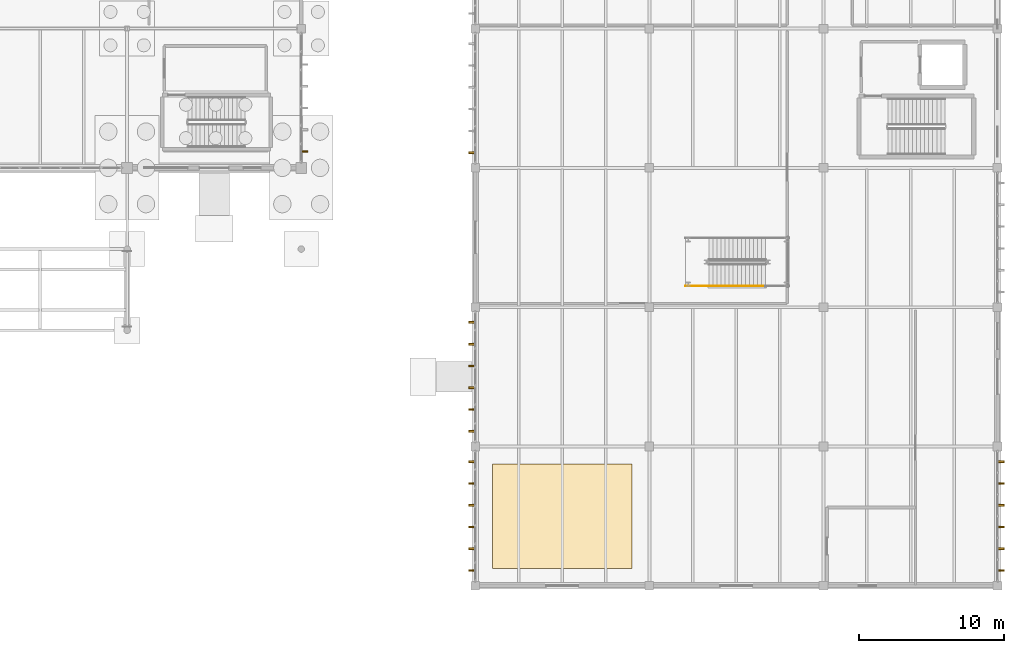
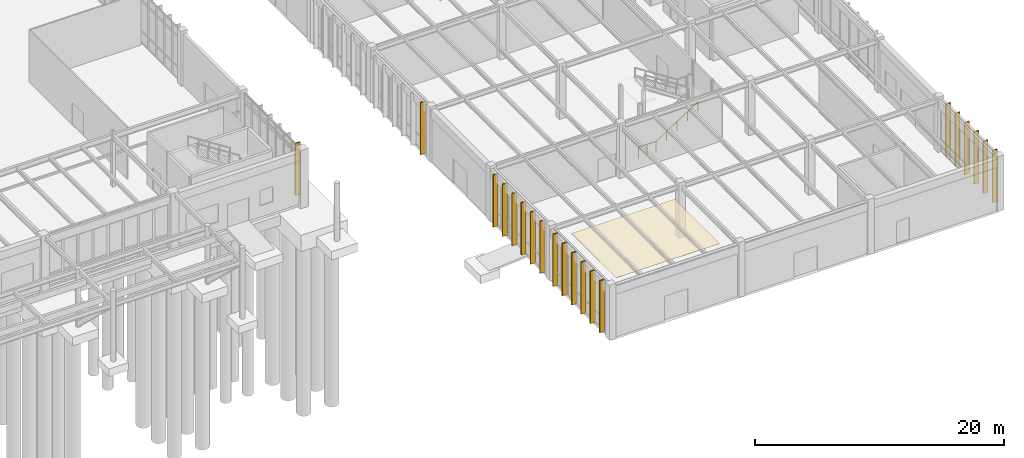
# One storey, part 181 of 188: 20 shading devices, 2 railings, 1 covering.
"""IFC4 building model written with IfcOpenShell, lengths in metres."""

from ifc_helpers import new_model, si_unit, direction, frame, origin, origin_2d, place, context, subcontext, project, spatial, polyline, rectangle, circle, outline, extrude, material, layer, layer_set, type_object, element, save


model = new_model("IFC4")

# Units and contexts
model_context = context("Model", 3, precision=1e-05, world=origin(), true_north=direction((0.0, 1.0)))
body_context = subcontext(model_context, "Body", "Model", "MODEL_VIEW")
ifc_project = project(units=[si_unit("LENGTHUNIT", "METRE"), si_unit("AREAUNIT", "SQUARE_METRE"), si_unit("VOLUMEUNIT", "CUBIC_METRE"), si_unit("PLANEANGLEUNIT", "RADIAN"), si_unit("MASSUNIT", "GRAM", prefix="KILO")], contexts=[model_context])

# Site, building, storey
site_placement = place(None, origin())
site = spatial("IfcSite", under=ifc_project, at=site_placement, CompositionType="ELEMENT")
building_placement = place(site_placement, origin())
building = spatial("IfcBuilding", under=site, at=building_placement, Name="Pandanus Reach Market Hall", CompositionType="ELEMENT")
storey_placement = place(building_placement, origin())
storey = spatial("IfcBuildingStorey", under=building, at=storey_placement, Name="L00", CompositionType="ELEMENT", Elevation=0.0)

# Covering
ifc_material_1 = material(Name="Perforated acoustic gypsum board", Category="gypsum")
ifc_layer = layer(ifc_material_1, 0.02001953125, Name="CLG-ACT-20")
ifc_layer_set = layer_set([ifc_layer], Name="Perforated acoustic gypsum board")
covering_type = type_object("IfcCoveringType", Name="CLG-ACT-20", PredefinedType="CEILING", material=ifc_layer_set)
covering_placement = place(storey_placement, frame((0.0, 0.0, 4.681640625)))
element("IfcCovering", 1, at=covering_placement, inside=storey, type_object=covering_type, Name="Perforated acoustic ceiling L00.2", PredefinedType="CEILING", context=body_context, shape_type="SweptSolid", body=[
    extrude(outline(polyline([(145.199951171875, 1.199951171875), (154.800048828125, 1.199951171875), (154.800048828125, 8.39990234375), (145.199951171875, 8.39990234375), (145.199951171875, 1.199951171875)])), origin(), (0.0, 0.0, 1.0), 0.02001953125),
])

# Shading devices
ifc_material_2 = material(Name="Precast concrete S50 (50 MPa)", Category="concrete")
shading_device_type = type_object("IfcShadingDeviceType", Name="FN-S50-450", PredefinedType="JALOUSIE", material=ifc_material_2)
for number, where, z_axis, x_axis, name in (
    (2, (132.219970703125, 29.925048828125, -0.010009765625), (0.0, 0.0, 1.0), (1.0, 0.0, 0.0), "Precast brise-soleil fin 74"),
    (3, (180.219970703125, 1.050048828125, -0.010009765625), (0.0, 0.0, 1.0), (1.0, 0.0, 0.0), "Precast brise-soleil fin 261"),
    (4, (180.219970703125, 2.550048828125, -0.010009765625), (0.0, 0.0, 1.0), (1.0, 0.0, 0.0), "Precast brise-soleil fin 262"),
    (5, (180.219970703125, 4.050048828125, -0.010009765625), (0.0, 0.0, 1.0), (1.0, 0.0, 0.0), "Precast brise-soleil fin 263"),
    (6, (180.219970703125, 5.550048828125, -0.010009765625), (0.0, 0.0, 1.0), (1.0, 0.0, 0.0), "Precast brise-soleil fin 264"),
    (7, (180.219970703125, 7.050048828125, -0.010009765625), (0.0, 0.0, 1.0), (1.0, 0.0, 0.0), "Precast brise-soleil fin 265"),
    (8, (180.219970703125, 8.550048828125, -0.010009765625), (0.0, 0.0, 1.0), (1.0, 0.0, 0.0), "Precast brise-soleil fin 266"),
    (9, (143.780029296875, 1.050048828125, -0.010009765625), (0.0, 0.0, 1.0), (-1.0, 0.0, 0.0), "Precast brise-soleil fin 291"),
    (10, (143.780029296875, 2.550048828125, -0.010009765625), (0.0, 0.0, 1.0), (-1.0, 0.0, 0.0), "Precast brise-soleil fin 292"),
    (11, (143.780029296875, 4.050048828125, -0.010009765625), (0.0, 0.0, 1.0), (-1.0, 0.0, 0.0), "Precast brise-soleil fin 293"),
    (12, (143.780029296875, 5.550048828125, -0.010009765625), (0.0, 0.0, 1.0), (-1.0, 0.0, 0.0), "Precast brise-soleil fin 294"),
    (13, (143.780029296875, 7.050048828125, -0.010009765625), (0.0, 0.0, 1.0), (-1.0, 0.0, 0.0), "Precast brise-soleil fin 295"),
    (14, (143.780029296875, 8.550048828125, -0.010009765625), (0.0, 0.0, 1.0), (-1.0, 0.0, 0.0), "Precast brise-soleil fin 296"),
    (15, (143.780029296875, 10.64990234375, -0.010009765625), (0.0, 0.0, 1.0), (-1.0, 0.0, 0.0), "Precast brise-soleil fin 297"),
    (16, (143.780029296875, 12.14990234375, -0.010009765625), (0.0, 0.0, 1.0), (-1.0, 0.0, 0.0), "Precast brise-soleil fin 298"),
    (17, (143.780029296875, 13.64990234375, -0.010009765625), (0.0, 0.0, 1.0), (-1.0, 0.0, 0.0), "Precast brise-soleil fin 299"),
    (18, (143.780029296875, 15.14990234375, -0.010009765625), (0.0, 0.0, 1.0), (-1.0, 0.0, 0.0), "Precast brise-soleil fin 300"),
    (19, (143.780029296875, 16.64990234375, -0.010009765625), (0.0, 0.0, 1.0), (-1.0, 0.0, 0.0), "Precast brise-soleil fin 301"),
    (20, (143.780029296875, 18.14990234375, -0.010009765625), (0.0, 0.0, 1.0), (-1.0, 0.0, 0.0), "Precast brise-soleil fin 302"),
    (21, (143.780029296875, 29.85009765625, -0.010009765625), (0.0, 0.0, 1.0), (-1.0, 0.0, 0.0), "Precast brise-soleil fin 303"),
):
    element("IfcShadingDevice", number, at=place(storey_placement, frame(where, z_axis=z_axis, x_axis=x_axis)), inside=storey, type_object=shading_device_type, Name=name, PredefinedType="JALOUSIE", context=body_context, shape_type="SweptSolid", body=[
        extrude(rectangle(XDim=0.449951171875, YDim=0.1201171875, at=origin_2d()), origin(), (0.0, 0.0, 1.0), 5.1201171875),
    ])

# Railings
ifc_material_3 = material(Name="Galvanised steel Grade 350 (350 MPa)", Category="steel")
railing_type_1 = type_object("IfcRailingType", Name="GR-INT-110", PredefinedType="GUARDRAIL", material=ifc_material_3)
railing_1_placement = place(storey_placement, frame((158.5, 20.64990234375, 0.0)))
element("IfcRailing", 22, at=railing_1_placement, inside=storey, type_object=railing_type_1, Name="Stair guard ST-11 L00.188", PredefinedType="GUARDRAIL", context=body_context, shape_type="SweptSolid", body=[
    extrude(circle(Radius=0.02392578125, at=origin_2d()), frame((0.0, 0.0, 1.076171875), z_axis=(1.0, 0.0, 0.0), x_axis=(0.0, 1.0, 0.0)), (0.0, 0.0, 1.0), 1.60009765625),
    extrude(circle(Radius=0.02099609375, at=origin_2d()), origin(), (0.0, 0.0, 1.0), 1.052001953125),
    extrude(circle(Radius=0.02099609375, at=origin_2d()), frame((0.800048828125, 0.0, 0.0)), (0.0, 0.0, 1.0), 1.052001953125),
    extrude(circle(Radius=0.02099609375, at=origin_2d()), frame((1.60009765625, 0.0, 0.0)), (0.0, 0.0, 1.0), 1.052001953125),
])
ifc_material_4 = material(Name="Brushed stainless steel", Category="steel")
railing_type_2 = type_object("IfcRailingType", Name="HR-WAL-090", PredefinedType="HANDRAIL", material=ifc_material_4)
railing_2_placement = place(storey_placement, frame((160.10009765625, 20.64990234375, 0.179931640625)))
element("IfcRailing", 23, at=railing_2_placement, inside=storey, type_object=railing_type_2, Name="Stair handrail ST-11 L00.190", PredefinedType="HANDRAIL", context=body_context, shape_type="SweptSolid", body=[
    extrude(circle(Radius=0.02392578125, at=origin_2d()), frame((0.0, 0.0, 0.8759765625), z_axis=(0.841171666519, 0.0, 0.540768182723), x_axis=(0.0, 1.0, 0.0)), (0.0, 0.0, 1.0), 4.66015625),
    extrude(circle(Radius=0.02099609375, at=origin_2d()), origin(), (0.0, 0.0, 1.0), 0.851806640625),
    extrude(circle(Radius=0.02099609375, at=origin_2d()), frame((0.97998046875, 0.0, 0.6298828125)), (0.0, 0.0, 1.0), 0.851806640625),
    extrude(circle(Radius=0.02099609375, at=origin_2d()), frame((1.9599609375, 0.0, 1.260009765625)), (0.0, 0.0, 1.0), 0.851806640625),
    extrude(circle(Radius=0.02099609375, at=origin_2d()), frame((2.93994140625, 0.0, 1.89013671875)), (0.0, 0.0, 1.0), 0.851806640625),
    extrude(circle(Radius=0.02099609375, at=origin_2d()), frame((3.919921875, 0.0, 2.52001953125)), (0.0, 0.0, 1.0), 0.851806640625),
])

save(model, "model.ifc")
